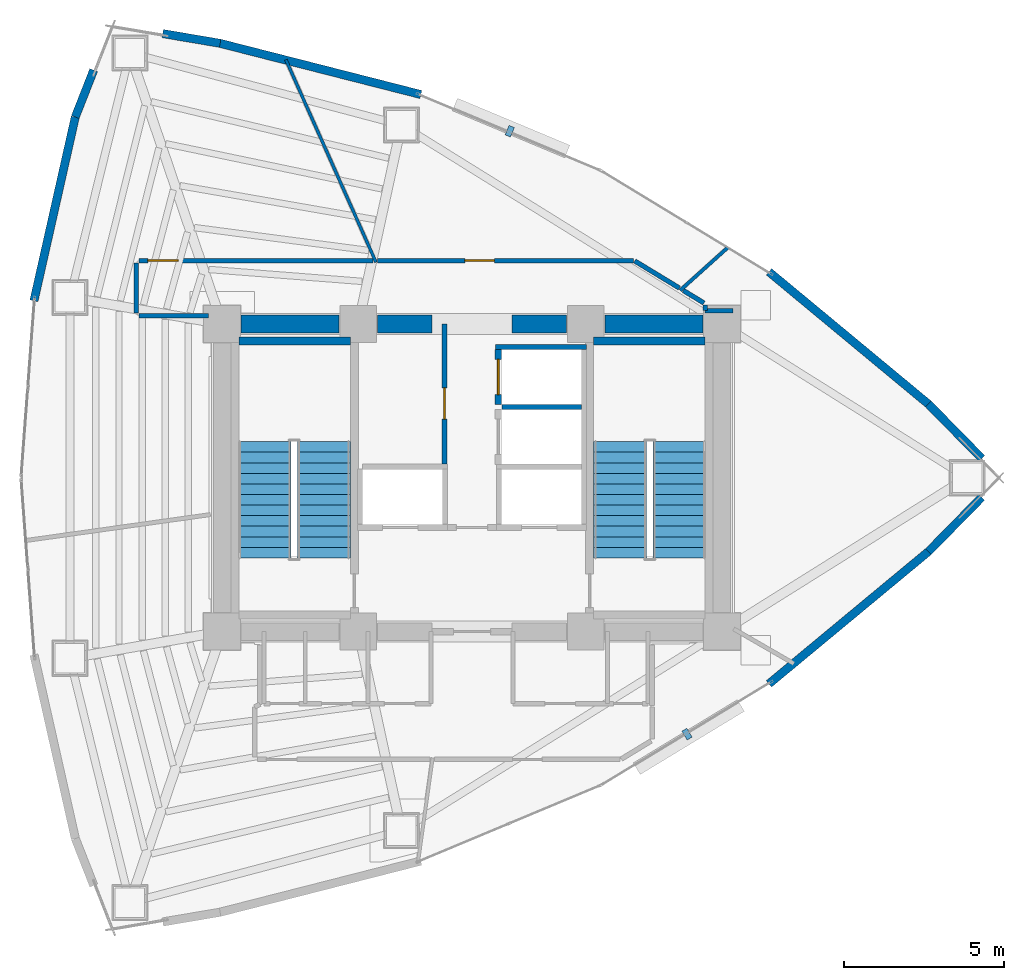
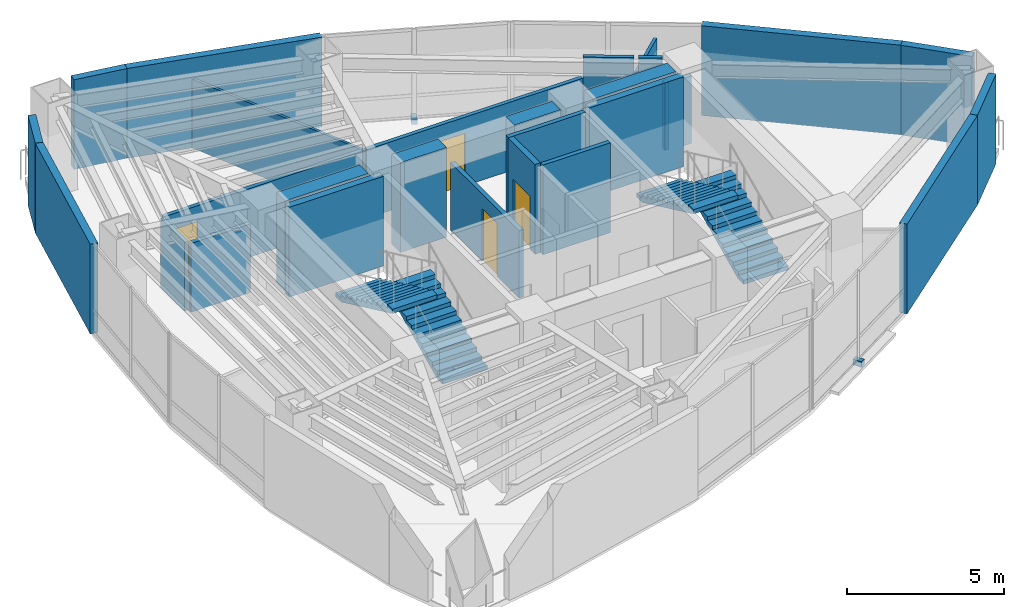
# One storey, part 12 of 15: 28 walls, 4 doors, 4 stair flights, 2 discrete accessories, 4 openings, 2 elements without a shape of their own.
"""IFC4 building model written with IfcOpenShell, lengths in metres."""

from ifc_helpers import new_model, si_unit, direction, frame, frame_2d, origin, origin_2d, place, context, subcontext, project, spatial, polyline, rectangle, outline, extrude, material, layer, layer_set, type_object, element, fill, aggregate, save


model = new_model("IFC4")

# Units and contexts
model_context = context("Model", 3, precision=1e-05, world=origin(), true_north=direction((0.0, 1.0)))
body_context = subcontext(model_context, "Body", "Model", "MODEL_VIEW")
ifc_project = project(units=[si_unit("LENGTHUNIT", "METRE"), si_unit("AREAUNIT", "SQUARE_METRE"), si_unit("VOLUMEUNIT", "CUBIC_METRE"), si_unit("PLANEANGLEUNIT", "RADIAN"), si_unit("MASSUNIT", "GRAM", prefix="KILO")], contexts=[model_context])

# Site, building, storey
site_placement = place(None, origin())
site = spatial("IfcSite", under=ifc_project, at=site_placement, CompositionType="ELEMENT")
building_placement = place(site_placement, origin())
building = spatial("IfcBuilding", under=site, at=building_placement, Name="Menara Vayukalpa", CompositionType="ELEMENT")
storey_placement = place(building_placement, frame((0.0, 0.0, 137.4599609375)))
storey = spatial("IfcBuildingStorey", under=building, at=storey_placement, Name="L34", CompositionType="ELEMENT", Elevation=137.4599609375)

# Walls
ifc_material_1 = material(Name="Concrete C60/75", Category="concrete")
ifc_layer_1 = layer(ifc_material_1, 0.550048828125)
ifc_layer_set_1 = layer_set([ifc_layer_1], Name="Concrete C60/75")
wall_type_1 = type_object("IfcWallType", Name="WAL-CW550", PredefinedType="SHEAR", material=ifc_layer_set_1)
wall_1_placement = place(storey_placement, frame((18.39501953125, 26.800048828125, 0.0), z_axis=(0.0, 0.0, 1.0), x_axis=(1.0, 0.0, 0.0)))
element("IfcWall", 1, at=wall_1_placement, inside=storey, type_object=wall_type_1, Name="L34 Buttressed Core Shear Wall CWN1", PredefinedType="SHEAR", context=body_context, shape_type="SweptSolid", body=[
    extrude(rectangle(XDim=3.06005859375, YDim=0.550048828125, at=frame_2d((1.530029296875, 0.0))), origin(), (0.0, 0.0, 1.0), 3.5),
])
wall_2_placement = place(storey_placement, frame((22.64501953125, 26.800048828125, 0.0), z_axis=(0.0, 0.0, 1.0), x_axis=(1.0, 0.0, 0.0)))
element("IfcWall", 2, at=wall_2_placement, inside=storey, type_object=wall_type_1, Name="L34 Buttressed Core Shear Wall CWN2", PredefinedType="SHEAR", context=body_context, shape_type="SweptSolid", body=[
    extrude(rectangle(XDim=1.705078125, YDim=0.550048828125, at=frame_2d((0.8525390625, 0.0))), origin(), (0.0, 0.0, 1.0), 3.5),
])
wall_3_placement = place(storey_placement, frame((26.85009765625, 26.800048828125, 0.0), z_axis=(0.0, 0.0, 1.0), x_axis=(1.0, 0.0, 0.0)))
element("IfcWall", 3, at=wall_3_placement, inside=storey, type_object=wall_type_1, Name="L34 Buttressed Core Shear Wall CWN3", PredefinedType="SHEAR", context=body_context, shape_type="SweptSolid", body=[
    extrude(rectangle(XDim=1.704833984375, YDim=0.550048828125, at=frame_2d((0.8525390625, 0.0))), origin(), (0.0, 0.0, 1.0), 3.5),
])
wall_4_placement = place(storey_placement, frame((29.7451171875, 26.800048828125, 0.0), z_axis=(0.0, 0.0, 1.0), x_axis=(1.0, 0.0, 0.0)))
element("IfcWall", 4, at=wall_4_placement, inside=storey, type_object=wall_type_1, Name="L34 Buttressed Core Shear Wall CWN4", PredefinedType="SHEAR", context=body_context, shape_type="SweptSolid", body=[
    extrude(rectangle(XDim=3.059814453125, YDim=0.550048828125, at=frame_2d((1.52978515625, 0.0))), origin(), (0.0, 0.0, 1.0), 3.5),
])
ifc_material_2 = material(Name="Insulated Precast Concrete C40/50", Category="concrete")
ifc_layer_2 = layer(ifc_material_2, 0.260009765625)
ifc_layer_set_2 = layer_set([ifc_layer_2], Name="Insulated Precast Concrete C40/50")
wall_type_2 = type_object("IfcWallType", Name="WAL-EXT260", PredefinedType="PARTITIONING", material=ifc_layer_set_2)
for number, where, z_axis, x_axis, name in (
    (5, (41.51171875, 21.3916015625, 0.0), (0.0, 0.0, 1.0), (-0.700554898891, -0.713598510116, 0.0), "L34 Perimeter Terracotta Pier Wall 01"),
    (6, (39.846435546875, 24.3046875, 0.0), (0.0, 0.0, 1.0), (0.700554898891, -0.713598510116, 0.0), "L34 Perimeter Terracotta Pier Wall 02"),
):
    element("IfcWall", number, at=place(storey_placement, frame(where, z_axis=z_axis, x_axis=x_axis)), inside=storey, type_object=wall_type_2, Name=name, PredefinedType="PARTITIONING", context=body_context, shape_type="SweptSolid", body=[
        extrude(rectangle(XDim=2.377197265625, YDim=0.260009765625, at=frame_2d((1.1884765625, 0.0))), origin(), (0.0, 0.0, 1.0), 3.5),
    ])
for number, where, z_axis, x_axis, name in (
    (7, (34.8701171875, 28.430419921875, 0.0), (0.0, 0.0, 1.0), (0.769754797847, -0.638339683234, 0.0), "L34 Perimeter Terracotta Pier Wall 03"),
    (8, (17.727294921875, 35.5654296875, 0.0), (0.0, 0.0, 1.0), (0.968987460493, -0.24710989743, 0.0), "L34 Perimeter Terracotta Pier Wall 06"),
):
    element("IfcWall", number, at=place(storey_placement, frame(where, z_axis=z_axis, x_axis=x_axis)), inside=storey, type_object=wall_type_2, Name=name, PredefinedType="PARTITIONING", context=body_context, shape_type="SweptSolid", body=[
        extrude(rectangle(XDim=6.476318359375, YDim=0.260009765625, at=frame_2d((3.23828125, 0.0))), origin(), (0.0, 0.0, 1.0), 3.5),
    ])
wall_5_placement = place(storey_placement, frame((15.946533203125, 35.8671875, 0.0), z_axis=(0.0, 0.0, 1.0), x_axis=(0.985903286971, -0.167316193894, 0.0)))
element("IfcWall", 9, at=wall_5_placement, inside=storey, type_object=wall_type_2, Name="L34 Perimeter Terracotta Pier Wall 07", PredefinedType="PARTITIONING", context=body_context, shape_type="SweptSolid", body=[
    extrude(rectangle(XDim=1.818115234375, YDim=0.260009765625, at=frame_2d((0.9091796875, 0.0))), origin(), (0.0, 0.0, 1.0), 3.5),
])
wall_6_placement = place(storey_placement, frame((13.21630859375, 33.263671875, 0.0), z_axis=(0.0, 0.0, 1.0), x_axis=(0.365517796794, 0.930804351207, 0.0)))
element("IfcWall", 10, at=wall_6_placement, inside=storey, type_object=wall_type_2, Name="L34 Perimeter Terracotta Pier Wall 08", PredefinedType="PARTITIONING", context=body_context, shape_type="SweptSolid", body=[
    extrude(rectangle(XDim=1.571533203125, YDim=0.260009765625, at=frame_2d((0.78564453125, 0.0))), origin(), (0.0, 0.0, 1.0), 3.5),
])
wall_7_placement = place(storey_placement, frame((11.925048828125, 27.5244140625, 0.0), z_axis=(0.0, 0.0, 1.0), x_axis=(0.219500344647, 0.975612422379, 0.0)))
element("IfcWall", 11, at=wall_7_placement, inside=storey, type_object=wall_type_2, Name="L34 Perimeter Terracotta Pier Wall 09", PredefinedType="PARTITIONING", context=body_context, shape_type="SweptSolid", body=[
    extrude(rectangle(XDim=5.8828125, YDim=0.260009765625, at=frame_2d((2.94140625, 0.0))), origin(), (0.0, 0.0, 1.0), 3.5),
])
wall_8_placement = place(storey_placement, frame((39.855224609375, 19.70361328125, 0.0), z_axis=(0.0, 0.0, 1.0), x_axis=(-0.769754797847, -0.638339683234, 0.0)))
element("IfcWall", 12, at=wall_8_placement, inside=storey, type_object=wall_type_2, Name="L34 Perimeter Terracotta Pier Wall 18", PredefinedType="PARTITIONING", context=body_context, shape_type="SweptSolid", body=[
    extrude(rectangle(XDim=6.476318359375, YDim=0.260009765625, at=frame_2d((3.23828125, 0.0))), origin(), (0.0, 0.0, 1.0), 3.5),
])
ifc_material_3 = material(Name="Lightweight Concrete Blockwork C16/20", Category="masonry")
ifc_layer_3 = layer(ifc_material_3, 0.159912109375)
ifc_layer_set_3 = layer_set([ifc_layer_3], Name="Lightweight Concrete Blockwork C16/20")
wall_type_3 = type_object("IfcWallType", Name="WAL-FR150", PredefinedType="PARTITIONING", material=ifc_layer_set_3)
wall_9_placement = place(storey_placement, frame((26.530029296875, 24.215087890625, 0.0), z_axis=(0.0, 0.0, 1.0), x_axis=(1.0, 0.0, 0.0)))
element("IfcWall", 13, at=wall_9_placement, inside=storey, type_object=wall_type_3, Name="L34 Interior Partition IW-L34-SHM-E32", PredefinedType="PARTITIONING", context=body_context, shape_type="SweptSolid", body=[
    extrude(rectangle(XDim=2.489990234375, YDim=0.159912109375, at=frame_2d((1.2451171875, 0.0))), origin(), (0.0, 0.0, 1.0), 3.5),
])
wall_10_placement = place(storey_placement, frame((26.340087890625, 26.0849609375, 0.0), z_axis=(0.0, 0.0, 1.0), x_axis=(1.0, 0.0, 0.0)))
element("IfcWall", 14, at=wall_10_placement, inside=storey, type_object=wall_type_3, Name="L34 Interior Partition IW-L34-SHM-E2N", PredefinedType="PARTITIONING", context=body_context, shape_type="SweptSolid", body=[
    extrude(rectangle(XDim=2.829833984375, YDim=0.159912109375, at=frame_2d((1.4150390625, 0.0))), origin(), (0.0, 0.0, 1.0), 3.5),
])

# Wall, opening, door
wall_11_placement = place(storey_placement, frame((24.739990234375, 22.429931640625, 0.0), z_axis=(0.0, 0.0, 1.0), x_axis=(0.0, 1.0, 0.0)))
wall_11 = element("IfcWall", 15, at=wall_11_placement, inside=storey, type_object=wall_type_3, Name="L34 Interior Partition IW-L34-LV7W", PredefinedType="PARTITIONING", context=body_context, shape_type="SweptSolid", body=[
    extrude(rectangle(XDim=4.3701171875, YDim=0.159912109375, at=frame_2d((2.18505859375, 0.0))), origin(), (0.0, 0.0, 1.0), 2.630126953125),
])
opening_1_placement = place(wall_11_placement, frame((1.39990234375, 0.0, 0.0)))
opening_1 = element("IfcOpeningElement", 16, at=opening_1_placement, cuts=wall_11, Name="Opening ID3", PredefinedType="OPENING", context=body_context, shape_type="SweptSolid", body=[
    extrude(rectangle(XDim=0.97998046875, YDim=2.06005859375, at=frame_2d((0.489990234375, 1.030029296875))), frame((0.0, 0.08984375, 0.0), z_axis=(0.0, -1.0, 0.0), x_axis=(1.0, 0.0, 0.0)), (0.0, 0.0, 1.0), 0.179931640625),
])
ifc_material_4 = material(Name="Fire-Rated Powder-Coated Steel Door", Category="steel")
door_type_1 = type_object("IfcDoorType", Name="DR-FD60", OperationType="NOTDEFINED", PredefinedType="DOOR", material=ifc_material_4)
door_1_placement = place(opening_1_placement, origin())
door_1 = element("IfcDoor", 17, at=door_1_placement, inside=storey, type_object=door_type_1, Name="L34 Interior Door DR-L34-LV7W", OperationType="SINGLE_SWING_LEFT", OverallHeight=2.06005859375, OverallWidth=0.97998046875, PredefinedType="DOOR", context=body_context, shape_type="SweptSolid", body=[
    extrude(rectangle(XDim=0.97998046875, YDim=2.06005859375, at=frame_2d((0.489990234375, 1.030029296875))), frame((0.0, 0.02490234375, 0.0), z_axis=(0.0, -1.0, 0.0), x_axis=(1.0, 0.0, 0.0)), (0.0, 0.0, 1.0), 0.050048828125),
])
fill(opening_1, door_1)

ifc_material_5 = material(Name="Lightweight Concrete Blockwork C16/20", Category="masonry")
ifc_layer_4 = layer(ifc_material_5, 0.199951171875)
ifc_layer_set_4 = layer_set([ifc_layer_4], Name="Lightweight Concrete Blockwork C16/20")
wall_type_4 = type_object("IfcWallType", Name="WAL-FR200", PredefinedType="PARTITIONING", material=ifc_layer_set_4)
wall_12_placement = place(storey_placement, frame((26.419921875, 24.2900390625, 0.0), z_axis=(0.0, 0.0, 1.0), x_axis=(0.0, 1.0, 0.0)))
wall_12 = element("IfcWall", 18, at=wall_12_placement, inside=storey, type_object=wall_type_4, Name="L34 Interior Partition IW-L34-SH-E2", PredefinedType="PARTITIONING", context=body_context, shape_type="SweptSolid", body=[
    extrude(rectangle(XDim=1.719970703125, YDim=0.199951171875, at=frame_2d((0.85986328125, 0.0))), origin(), (0.0, 0.0, 1.0), 3.5),
])
opening_2_placement = place(wall_12_placement, frame((0.31005859375, 0.0, 0.0)))
opening_2 = element("IfcOpeningElement", 19, at=opening_2_placement, cuts=wall_12, Name="Opening LD1", PredefinedType="OPENING", context=body_context, shape_type="SweptSolid", body=[
    extrude(rectangle(XDim=1.10009765625, YDim=2.080078125, at=frame_2d((0.550048828125, 1.0400390625))), frame((0.0, 0.10986328125, 0.0), z_axis=(0.0, -1.0, 0.0), x_axis=(1.0, 0.0, 0.0)), (0.0, 0.0, 1.0), 0.219970703125),
])
ifc_material_6 = material(Name="Brushed Stainless Steel 316 Lift Door", Category="steel")
door_type_2 = type_object("IfcDoorType", Name="DR-LD110", OperationType="NOTDEFINED", PredefinedType="DOOR", material=ifc_material_6)
door_2_placement = place(opening_2_placement, origin())
door_2 = element("IfcDoor", 20, at=door_2_placement, inside=storey, type_object=door_type_2, Name="L34 Interior Door DR-L34-LD-E2", OperationType="DOUBLE_DOOR_SLIDING", OverallHeight=2.080078125, OverallWidth=1.10009765625, PredefinedType="DOOR", context=body_context, shape_type="SweptSolid", body=[
    extrude(rectangle(XDim=1.10009765625, YDim=2.080078125, at=frame_2d((0.550048828125, 1.0400390625))), frame((0.0, 0.02490234375, 0.0), z_axis=(0.0, -1.0, 0.0), x_axis=(1.0, 0.0, 0.0)), (0.0, 0.0, 1.0), 0.050048828125),
])
fill(opening_2, door_2)

# Walls
ifc_material_7 = material(Name="Glazed Demountable Office Partition", Category="glass")
ifc_layer_5 = layer(ifc_material_7, 0.094970703125)
ifc_layer_set_5 = layer_set([ifc_layer_5], Name="Glazed Demountable Office Partition")
wall_type_5 = type_object("IfcWallType", Name="WAL-PT100", PredefinedType="PARTITIONING", material=ifc_layer_set_5)
wall_13_placement = place(storey_placement, frame((22.603515625, 28.72998046875, 0.0), z_axis=(0.0, 0.0, 1.0), x_axis=(-0.40673105446, 0.913547945834, 0.0)))
element("IfcWall", 21, at=wall_13_placement, inside=storey, type_object=wall_type_5, Name="L34 Interior Partition IW-L34-RDIV02", PredefinedType="PARTITIONING", context=body_context, shape_type="SweptSolid", body=[
    extrude(rectangle(XDim=6.91796875, YDim=0.094970703125, at=frame_2d((3.458984375, 0.0))), origin(), (0.0, 0.0, 1.0), 2.679931640625),
])
ifc_material_8 = material(Name="Acoustic Mineral Stud Partition", Category="masonry")
ifc_layer_6 = layer(ifc_material_8, 0.110107421875)
ifc_layer_set_6 = layer_set([ifc_layer_6], Name="Acoustic Mineral Stud Partition")
wall_type_6 = type_object("IfcWallType", Name="WAL-PT110", PredefinedType="PARTITIONING", material=ifc_layer_set_6)
wall_14_placement = place(storey_placement, frame((32.096923828125, 27.849853515625, 0.0), z_axis=(0.0, 0.0, 1.0), x_axis=(0.743149549086, 0.669125360222, 0.0)))
element("IfcWall", 22, at=wall_14_placement, inside=storey, type_object=wall_type_6, Name="L34 Interior Partition IW-L34-RDIV01", PredefinedType="PARTITIONING", context=body_context, shape_type="SweptSolid", body=[
    extrude(rectangle(XDim=2.01513671875, YDim=0.110107421875, at=frame_2d((1.007568359375, 0.0))), origin(), (0.0, 0.0, 1.0), 2.929931640625),
])
ifc_material_9 = material(Name="Gypsum Drywall Acoustic Stud Assembly", Category="masonry")
ifc_layer_7 = layer(ifc_material_9, 0.14501953125)
ifc_layer_set_7 = layer_set([ifc_layer_7], Name="Gypsum Drywall Acoustic Stud Assembly")
wall_type_7 = type_object("IfcWallType", Name="WAL-PT150", PredefinedType="PARTITIONING", material=ifc_layer_set_7)
wall_15_placement = place(storey_placement, frame((33.739990234375, 27.219970703125, 0.0), z_axis=(0.0, 0.0, 1.0), x_axis=(-1.0, 0.0, 0.0)))
element("IfcWall", 23, at=wall_15_placement, inside=storey, type_object=wall_type_7, Name="L34 Interior Partition IW-L34-CRM03-1", PredefinedType="PARTITIONING", context=body_context, shape_type="SweptSolid", body=[
    extrude(rectangle(XDim=0.860107421875, YDim=0.14501953125, at=frame_2d((0.43017578125, 0.0))), origin(), (0.0, 0.0, 1.0), 2.630126953125),
])
wall_16_placement = place(storey_placement, frame((32.8798828125, 27.219970703125, 0.0), z_axis=(0.0, 0.0, 1.0), x_axis=(0.0, 1.0, 0.0)))
element("IfcWall", 24, at=wall_16_placement, inside=storey, type_object=wall_type_7, Name="L34 Interior Partition IW-L34-CRM03-2", PredefinedType="PARTITIONING", context=body_context, shape_type="SweptSolid", body=[
    extrude(rectangle(XDim=0.167724609375, YDim=0.14501953125, at=frame_2d((0.083984375, 0.0))), origin(), (0.0, 0.0, 1.0), 2.630126953125),
])
wall_17_placement = place(storey_placement, frame((32.841552734375, 27.4560546875, 0.0), z_axis=(0.0, 0.0, 1.0), x_axis=(-0.854617897452, 0.519257401829, 0.0)))
element("IfcWall", 25, at=wall_17_placement, inside=storey, type_object=wall_type_7, Name="L34 Interior Partition IW-L34-CRM03-3", PredefinedType="PARTITIONING", context=body_context, shape_type="SweptSolid", body=[
    extrude(rectangle(XDim=0.752685546875, YDim=0.14501953125, at=frame_2d((0.37646484375, 0.0))), origin(), (0.0, 0.0, 1.0), 3.5),
])
wall_18_placement = place(storey_placement, frame((32.0732421875, 27.9228515625, 0.0), z_axis=(0.0, 0.0, 1.0), x_axis=(-0.854675861197, 0.51916199041, 0.0)))
element("IfcWall", 26, at=wall_18_placement, inside=storey, type_object=wall_type_7, Name="L34 Interior Partition IW-L34-CRM04-1", PredefinedType="PARTITIONING", context=body_context, shape_type="SweptSolid", body=[
    extrude(rectangle(XDim=1.62841796875, YDim=0.14501953125, at=frame_2d((0.814208984375, 0.0))), origin(), (0.0, 0.0, 1.0), 3.5),
])

# Wall, opening, door
wall_19_placement = place(storey_placement, frame((30.639892578125, 28.780029296875, 0.0), z_axis=(0.0, 0.0, 1.0), x_axis=(-1.0, 0.0, 0.0)))
wall_19 = element("IfcWall", 27, at=wall_19_placement, inside=storey, type_object=wall_type_7, Name="L34 Interior Partition IW-L34-CRM04-2", PredefinedType="PARTITIONING", context=body_context, shape_type="SweptSolid", body=[
    extrude(rectangle(XDim=7.98193359375, YDim=0.14501953125, at=frame_2d((3.990966796875, 0.0))), origin(), (0.0, 0.0, 1.0), 2.679931640625),
])
opening_3_placement = place(wall_19_placement, frame((4.343505859375, 0.0, 0.0)))
opening_3 = element("IfcOpeningElement", 28, at=opening_3_placement, cuts=wall_19, Name="Opening ID6", PredefinedType="OPENING", context=body_context, shape_type="SweptSolid", body=[
    extrude(rectangle(XDim=0.919921875, YDim=2.050048828125, at=frame_2d((0.4599609375, 1.02490234375))), frame((0.0, 0.08251953125, 0.0), z_axis=(0.0, -1.0, 0.0), x_axis=(1.0, 0.0, 0.0)), (0.0, 0.0, 1.0), 0.1650390625),
])
ifc_material_10 = material(Name="Acoustic Hardwood Veneer Timber Door", Category="wood")
door_type_3 = type_object("IfcDoorType", Name="DR-INT92", OperationType="NOTDEFINED", PredefinedType="DOOR", material=ifc_material_10)
door_3_placement = place(opening_3_placement, origin())
door_3 = element("IfcDoor", 29, at=door_3_placement, inside=storey, type_object=door_type_3, Name="L34 Interior Door DR-L34-RM04", OperationType="SINGLE_SWING_LEFT", OverallHeight=2.050048828125, OverallWidth=0.919921875, PredefinedType="DOOR", context=body_context, shape_type="SweptSolid", body=[
    extrude(rectangle(XDim=0.919921875, YDim=2.050048828125, at=frame_2d((0.4599609375, 1.02490234375))), frame((0.0, 0.02490234375, 0.0), z_axis=(0.0, -1.0, 0.0), x_axis=(1.0, 0.0, 0.0)), (0.0, 0.0, 1.0), 0.050048828125),
])
fill(opening_3, door_3)

wall_20_placement = place(storey_placement, frame((22.504638671875, 28.780029296875, 0.0), z_axis=(0.0, 0.0, 1.0), x_axis=(-1.0, 0.0, 0.0)))
wall_20 = element("IfcWall", 30, at=wall_20_placement, inside=storey, type_object=wall_type_7, Name="L34 Interior Partition IW-L34-CRM05-1", PredefinedType="PARTITIONING", context=body_context, shape_type="SweptSolid", body=[
    extrude(rectangle(XDim=7.3046875, YDim=0.14501953125, at=frame_2d((3.65234375, 0.0))), origin(), (0.0, 0.0, 1.0), 2.679931640625),
])
opening_4_placement = place(wall_20_placement, frame((6.07470703125, 0.0, 0.0)))
opening_4 = element("IfcOpeningElement", 31, at=opening_4_placement, cuts=wall_20, Name="Opening ID5", PredefinedType="OPENING", context=body_context, shape_type="SweptSolid", body=[
    extrude(rectangle(XDim=0.949951171875, YDim=2.06005859375, at=frame_2d((0.47509765625, 1.030029296875))), frame((0.0, 0.08251953125, 0.0), z_axis=(0.0, -1.0, 0.0), x_axis=(1.0, 0.0, 0.0)), (0.0, 0.0, 1.0), 0.1650390625),
])
ifc_material_11 = material(Name="Acoustic Hardwood Veneer Timber Door", Category="wood")
door_type_4 = type_object("IfcDoorType", Name="DR-INT95", OperationType="NOTDEFINED", PredefinedType="DOOR", material=ifc_material_11)
door_4_placement = place(opening_4_placement, origin())
door_4 = element("IfcDoor", 32, at=door_4_placement, inside=storey, type_object=door_type_4, Name="L34 Interior Door DR-L34-RM05", OperationType="SINGLE_SWING_RIGHT", OverallHeight=2.06005859375, OverallWidth=0.949951171875, PredefinedType="DOOR", context=body_context, shape_type="SweptSolid", body=[
    extrude(rectangle(XDim=0.949951171875, YDim=2.06005859375, at=frame_2d((0.47509765625, 1.030029296875))), frame((0.0, 0.02490234375, 0.0), z_axis=(0.0, -1.0, 0.0), x_axis=(1.0, 0.0, 0.0)), (0.0, 0.0, 1.0), 0.050048828125),
])
fill(opening_4, door_4)

# Walls
wall_21_placement = place(storey_placement, frame((15.1201171875, 28.699951171875, 0.0), z_axis=(0.0, 0.0, 1.0), x_axis=(0.0, -1.0, 0.0)))
element("IfcWall", 33, at=wall_21_placement, inside=storey, type_object=wall_type_7, Name="L34 Interior Partition IW-L34-CRM05-2", PredefinedType="PARTITIONING", context=body_context, shape_type="SweptSolid", body=[
    extrude(rectangle(XDim=1.56005859375, YDim=0.14501953125, at=frame_2d((0.780029296875, 0.0))), origin(), (0.0, 0.0, 1.0), 2.679931640625),
])
wall_22_placement = place(storey_placement, frame((15.199951171875, 27.06005859375, 0.0), z_axis=(0.0, 0.0, 1.0), x_axis=(1.0, 0.0, 0.0)))
element("IfcWall", 34, at=wall_22_placement, inside=storey, type_object=wall_type_7, Name="L34 Interior Partition IW-L34-CRM05-3", PredefinedType="PARTITIONING", context=body_context, shape_type="SweptSolid", body=[
    extrude(rectangle(XDim=2.179931640625, YDim=0.14501953125, at=frame_2d((1.08984375, 0.0))), origin(), (0.0, 0.0, 1.0), 2.679931640625),
])
ifc_material_12 = material(Name="Concrete C50/60", Category="concrete")
ifc_layer_8 = layer(ifc_material_12, 0.25)
ifc_layer_set_8 = layer_set([ifc_layer_8], Name="Concrete C50/60")
wall_type_8 = type_object("IfcWallType", Name="WAL-SW250", PredefinedType="SHEAR", material=ifc_layer_set_8)
wall_23_placement = place(storey_placement, frame((18.3291015625, 26.27490234375, 0.0), z_axis=(0.0, 0.0, 1.0), x_axis=(1.0, 0.0, 0.0)))
element("IfcWall", 35, at=wall_23_placement, inside=storey, type_object=wall_type_8, Name="L34 ST1 Structural Stair Shaft Wall N", PredefinedType="SHEAR", context=body_context, shape_type="SweptSolid", body=[
    extrude(rectangle(XDim=3.470947265625, YDim=0.25, at=frame_2d((1.7353515625, 0.0))), origin(), (0.0, 0.0, 1.0), 3.5),
])
wall_24_placement = place(storey_placement, frame((29.39990234375, 26.27490234375, 0.0), z_axis=(0.0, 0.0, 1.0), x_axis=(1.0, 0.0, 0.0)))
element("IfcWall", 36, at=wall_24_placement, inside=storey, type_object=wall_type_8, Name="L34 ST2 Structural Stair Shaft Wall N", PredefinedType="SHEAR", context=body_context, shape_type="SweptSolid", body=[
    extrude(rectangle(XDim=3.47119140625, YDim=0.25, at=frame_2d((1.735595703125, 0.0))), origin(), (0.0, 0.0, 1.0), 3.5),
])

# Stair, stair flights
ifc_material_13 = material(Name="Precast Concrete C40/50", Category="concrete")
stair_type = type_object("IfcStairType", Name="STR-T04", PredefinedType="DOUBLE_RETURN_STAIR", material=ifc_material_13)
stair_1_placement = place(storey_placement, origin())
stair_1 = element("IfcStair", 37, at=stair_1_placement, inside=storey, type_object=stair_type, Name="L34 Core Exit Stair ST-1", PredefinedType="DOUBLE_RETURN_STAIR")
ifc_material_14 = material(Name="Precast Concrete C40/50", Category="concrete")
stair_flight_type = type_object("IfcStairFlightType", Name="STF-T04", PredefinedType="STRAIGHT", material=ifc_material_14)
stair_flight_1_placement = place(storey_placement, frame((20.97509765625, 19.5, 0.0), z_axis=(0.0, 0.0, 1.0), x_axis=(0.0, 1.0, 0.0)))
stair_flight_1 = element("IfcStairFlight", 38, at=stair_flight_1_placement, type_object=stair_flight_type, Name="ST-1 flight 1", NumberOfRisers=12, NumberOfTreads=11, PredefinedType="STRAIGHT", RiserHeight=0.155, TreadLength=0.33, context=body_context, shape_type="SweptSolid", body=[
    extrude(outline(polyline([(0.0, 0.0), (0.0, 0.155029296875), (0.330078125, 0.155029296875), (0.330078125, 0.31005859375), (0.659912109375, 0.31005859375), (0.659912109375, 0.465087890625), (0.989990234375, 0.465087890625), (0.989990234375, 0.6201171875), (1.320068359375, 0.6201171875), (1.320068359375, 0.77490234375), (1.64990234375, 0.77490234375), (1.64990234375, 0.929931640625), (1.97998046875, 0.929931640625), (1.97998046875, 1.0849609375), (2.31005859375, 1.0849609375), (2.31005859375, 1.239990234375), (2.639892578125, 1.239990234375), (2.639892578125, 1.39501953125), (2.969970703125, 1.39501953125), (2.969970703125, 1.550048828125), (3.300048828125, 1.550048828125), (3.300048828125, 1.705078125), (3.6298828125, 1.705078125), (3.6298828125, 1.860107421875), (3.6298828125, 1.539306640625), (0.3525390625, 0.0), (0.0, 0.0)])), frame((0.0, 0.824951171875, 0.0), z_axis=(0.0, -1.0, 0.0), x_axis=(1.0, 0.0, 0.0)), (0.0, 0.0, 1.0), 1.64990234375),
])
stair_flight_2_placement = place(storey_placement, frame((19.125, 23.1298828125, 1.860107421875), z_axis=(0.0, 0.0, 1.0), x_axis=(0.0, -1.0, 0.0)))
stair_flight_2 = element("IfcStairFlight", 39, at=stair_flight_2_placement, type_object=stair_flight_type, Name="ST-1 flight 2", NumberOfRisers=12, NumberOfTreads=11, PredefinedType="STRAIGHT", RiserHeight=0.155, TreadLength=0.33, context=body_context, shape_type="SweptSolid", body=[
    extrude(outline(polyline([(0.0, 0.0), (0.0, 0.155029296875), (0.330078125, 0.155029296875), (0.330078125, 0.31005859375), (0.659912109375, 0.31005859375), (0.659912109375, 0.465087890625), (0.989990234375, 0.465087890625), (0.989990234375, 0.6201171875), (1.320068359375, 0.6201171875), (1.320068359375, 0.77490234375), (1.64990234375, 0.77490234375), (1.64990234375, 0.929931640625), (1.97998046875, 0.929931640625), (1.97998046875, 1.0849609375), (2.31005859375, 1.0849609375), (2.31005859375, 1.239990234375), (2.639892578125, 1.239990234375), (2.639892578125, 1.39501953125), (2.969970703125, 1.39501953125), (2.969970703125, 1.550048828125), (3.300048828125, 1.550048828125), (3.300048828125, 1.705078125), (3.6298828125, 1.705078125), (3.6298828125, 1.860107421875), (3.6298828125, 1.539306640625), (0.3525390625, 0.0), (0.0, 0.0)])), frame((0.0, 0.824951171875, 0.0), z_axis=(0.0, -1.0, 0.0), x_axis=(1.0, 0.0, 0.0)), (0.0, 0.0, 1.0), 1.64990234375),
])
aggregate(stair_1, [stair_flight_1, stair_flight_2])

stair_2_placement = place(storey_placement, origin())
stair_2 = element("IfcStair", 40, at=stair_2_placement, inside=storey, type_object=stair_type, Name="L34 Core Exit Stair ST-2", PredefinedType="DOUBLE_RETURN_STAIR")
stair_flight_3_placement = place(storey_placement, frame((32.074951171875, 19.5, 0.0), z_axis=(0.0, 0.0, 1.0), x_axis=(0.0, 1.0, 0.0)))
stair_flight_3 = element("IfcStairFlight", 41, at=stair_flight_3_placement, type_object=stair_flight_type, Name="ST-2 flight 1", NumberOfRisers=12, NumberOfTreads=11, PredefinedType="STRAIGHT", RiserHeight=0.155, TreadLength=0.33, context=body_context, shape_type="SweptSolid", body=[
    extrude(outline(polyline([(0.0, 0.0), (0.0, 0.155029296875), (0.330078125, 0.155029296875), (0.330078125, 0.31005859375), (0.659912109375, 0.31005859375), (0.659912109375, 0.465087890625), (0.989990234375, 0.465087890625), (0.989990234375, 0.6201171875), (1.320068359375, 0.6201171875), (1.320068359375, 0.77490234375), (1.64990234375, 0.77490234375), (1.64990234375, 0.929931640625), (1.97998046875, 0.929931640625), (1.97998046875, 1.0849609375), (2.31005859375, 1.0849609375), (2.31005859375, 1.239990234375), (2.639892578125, 1.239990234375), (2.639892578125, 1.39501953125), (2.969970703125, 1.39501953125), (2.969970703125, 1.550048828125), (3.300048828125, 1.550048828125), (3.300048828125, 1.705078125), (3.6298828125, 1.705078125), (3.6298828125, 1.860107421875), (3.6298828125, 1.539306640625), (0.3525390625, 0.0), (0.0, 0.0)])), frame((0.0, 0.824951171875, 0.0), z_axis=(0.0, -1.0, 0.0), x_axis=(1.0, 0.0, 0.0)), (0.0, 0.0, 1.0), 1.64990234375),
])
stair_flight_4_placement = place(storey_placement, frame((30.22509765625, 23.1298828125, 1.860107421875), z_axis=(0.0, 0.0, 1.0), x_axis=(0.0, -1.0, 0.0)))
stair_flight_4 = element("IfcStairFlight", 42, at=stair_flight_4_placement, type_object=stair_flight_type, Name="ST-2 flight 2", NumberOfRisers=12, NumberOfTreads=11, PredefinedType="STRAIGHT", RiserHeight=0.155, TreadLength=0.33, context=body_context, shape_type="SweptSolid", body=[
    extrude(outline(polyline([(0.0, 0.0), (0.0, 0.155029296875), (0.330078125, 0.155029296875), (0.330078125, 0.31005859375), (0.659912109375, 0.31005859375), (0.659912109375, 0.465087890625), (0.989990234375, 0.465087890625), (0.989990234375, 0.6201171875), (1.320068359375, 0.6201171875), (1.320068359375, 0.77490234375), (1.64990234375, 0.77490234375), (1.64990234375, 0.929931640625), (1.97998046875, 0.929931640625), (1.97998046875, 1.0849609375), (2.31005859375, 1.0849609375), (2.31005859375, 1.239990234375), (2.639892578125, 1.239990234375), (2.639892578125, 1.39501953125), (2.969970703125, 1.39501953125), (2.969970703125, 1.550048828125), (3.300048828125, 1.550048828125), (3.300048828125, 1.705078125), (3.6298828125, 1.705078125), (3.6298828125, 1.860107421875), (3.6298828125, 1.539306640625), (0.3525390625, 0.0), (0.0, 0.0)])), frame((0.0, 0.824951171875, 0.0), z_axis=(0.0, -1.0, 0.0), x_axis=(1.0, 0.0, 0.0)), (0.0, 0.0, 1.0), 1.64990234375),
])
aggregate(stair_2, [stair_flight_3, stair_flight_4])

# Discrete accessories
ifc_material_15 = material(Name="Stainless Steel 316 Sunshade Bracket", Category="steel")
discrete_accessory_type = type_object("IfcDiscreteAccessoryType", Name="ACC-BRK1", PredefinedType="BRACKET", material=ifc_material_15)
for number, where, z_axis, x_axis, name in (
    (43, (26.778076171875, 32.8193359375, -0.16015625), (0.0, 0.0, 1.0), (-0.922544824647, 0.385889940938, 0.0), "L34 Terracotta Sunshade Bracket 05"),
    (44, (32.311279296875, 13.998779296875, -0.16015625), (0.0, 0.0, 1.0), (0.854658248158, 0.519190984952, 0.0), "L34 Terracotta Sunshade Bracket 17"),
):
    element("IfcDiscreteAccessory", number, at=place(storey_placement, frame(where, z_axis=z_axis, x_axis=x_axis)), inside=storey, type_object=discrete_accessory_type, Name=name, PredefinedType="BRACKET", context=body_context, shape_type="SweptSolid", body=[
        extrude(rectangle(XDim=0.179931640625, YDim=0.320068359375, at=origin_2d()), origin(), (0.0, 0.0, 1.0), 0.219970703125),
    ])

save(model, "model.ifc")
